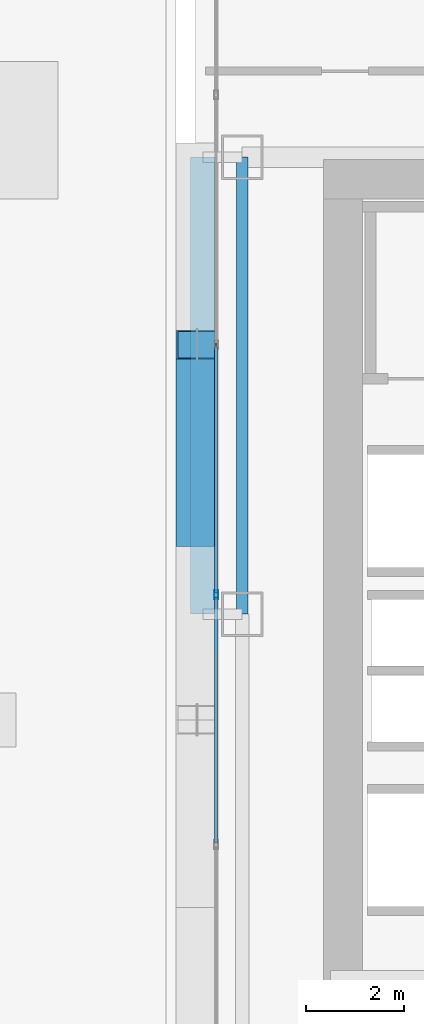
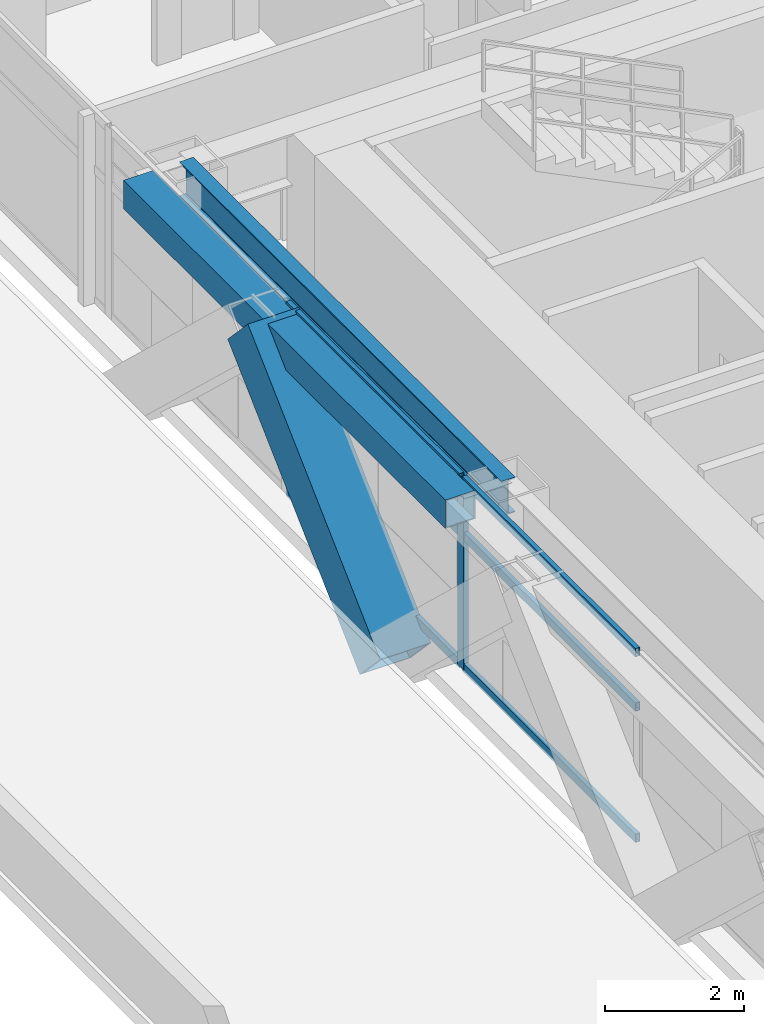
# One storey, part 7 of 35: 8 members, 2 beams, 1 element without a shape of its own.
"""IFC4 building model written with IfcOpenShell, lengths in metres."""

from ifc_helpers import new_model, si_unit, direction, frame, origin, origin_2d, place, context, subcontext, project, spatial, hollow_rectangle, i_section, extrude, source, transform, mapped, material, layer, layer_set, material_profile, profile_set, type_object, element, aggregate, save


model = new_model("IFC4")

# Units and contexts
model_context = context("Model", 3, precision=1e-05, world=origin(), true_north=direction((0.0, 1.0)))
body_context = subcontext(model_context, "Body", "Model", "MODEL_VIEW")
ifc_project = project(units=[si_unit("LENGTHUNIT", "METRE"), si_unit("AREAUNIT", "SQUARE_METRE"), si_unit("VOLUMEUNIT", "CUBIC_METRE"), si_unit("PLANEANGLEUNIT", "RADIAN"), si_unit("MASSUNIT", "GRAM", prefix="KILO")], contexts=[model_context])

# Site, building, storey
site_placement = place(None, origin())
site = spatial("IfcSite", under=ifc_project, at=site_placement, CompositionType="ELEMENT")
building_placement = place(site_placement, origin())
building = spatial("IfcBuilding", under=site, at=building_placement, Name="Ocotamira Hotel", CompositionType="ELEMENT")
storey_placement = place(building_placement, frame((0.0, 0.0, 34.800048828125)))
storey = spatial("IfcBuildingStorey", under=building, at=storey_placement, Name="L07", CompositionType="ELEMENT", Elevation=34.800048828125)

# Beams
ifc_material_1 = material(Name="Steel ASTM A992 Grade 50", Category="steel")
ifc_material_profile_1 = material_profile(ifc_material_1, i_section(OverallWidth=0.22998046875, OverallDepth=0.616943359375, WebThickness=0.01318359375, FlangeThickness=0.022216796875, FilletRadius=0.012939453125, at=origin_2d()), Name="W24X94")
ifc_profile_set_1 = profile_set([ifc_material_profile_1], Name="Steel ASTM A992 Grade 50")
beam_type_1 = type_object("IfcBeamType", Name="BM-PRIM-W24X94", PredefinedType="BEAM", material=ifc_profile_set_1)
shared_shape_1 = source(origin(), body_context, "Body", "SweptSolid", [
    extrude(i_section(OverallWidth=0.22998046875, OverallDepth=0.616943359375, WebThickness=0.01318359375, FlangeThickness=0.022216796875, FilletRadius=0.012939453125, at=origin_2d()), origin(), (0.0, 0.0, 1.0), 9.300048828125),
])
beam_1_placement = place(storey_placement, frame((8.949951171875, 28.14990234375, 3.04150390625), z_axis=(0.0, 1.0, 0.0), x_axis=(-1.0, 0.0, 0.0)))
element("IfcBeam", 1, at=beam_1_placement, inside=storey, type_object=beam_type_1, Name="L07 Beam X8.95 Y28.15-37.45", PredefinedType="BEAM", context=body_context, shape_type="MappedRepresentation", body=[
    mapped(shared_shape_1, transform((0.0, 0.0, 0.0), scale=1.0)),
])
ifc_material_2 = material(Name="Steel ASTM A500 Grade C", Category="steel")
ifc_material_profile_2 = material_profile(ifc_material_2, hollow_rectangle(XDim=0.5, YDim=0.5, WallThickness=0.02001953125, at=origin_2d()), Name="HSS500X500X20")
ifc_profile_set_2 = profile_set([ifc_material_profile_2], Name="Steel ASTM A500 Grade C")
beam_type_2 = type_object("IfcBeamType", Name="BM-SPAN-HSS500", PredefinedType="USERDEFINED", material=ifc_profile_set_2)
shared_shape_2 = source(origin(), body_context, "Body", "SweptSolid", [
    extrude(hollow_rectangle(XDim=0.5, YDim=0.5, WallThickness=0.02001953125, at=origin_2d()), origin(), (0.0, 0.0, 1.0), 9.300048828125),
])
beam_2_placement = place(storey_placement, frame((8.14990234375, 28.14990234375, 3.099853515625), z_axis=(0.0, 1.0, 0.0), x_axis=(-1.0, 0.0, 0.0)))
element("IfcBeam", 2, at=beam_2_placement, inside=storey, type_object=beam_type_2, Name="L07 Edge Spandrel W Y28.15-37.45", ObjectType="SPANDREL", PredefinedType="USERDEFINED", context=body_context, shape_type="MappedRepresentation", body=[
    mapped(shared_shape_2, transform((0.0, 0.0, 0.0), scale=1.0)),
])

# Member
ifc_material_3 = material(Name="Pale-metal coated steel ASTM A913 Grade 65", Category="steel")
ifc_material_profile_3 = material_profile(ifc_material_3, hollow_rectangle(XDim=0.85009765625, YDim=0.85009765625, WallThickness=0.035888671875, at=origin_2d()), Name="BOX850X850X36")
ifc_profile_set_3 = profile_set([ifc_material_profile_3], Name="Pale-metal coated steel ASTM A913 Grade 65")
member_type_1 = type_object("IfcMemberType", Name="MEM-EXO-BOX850", PredefinedType="BRACE", material=ifc_profile_set_3)
shared_shape_3 = source(origin(), body_context, "Body", "SweptSolid", [
    extrude(hollow_rectangle(XDim=0.85009765625, YDim=0.85009765625, WallThickness=0.035888671875, at=origin_2d()), origin(), (0.0, 0.0, 1.0), 5.24658203125),
])
member_1_placement = place(storey_placement, frame((8.030029296875, 29.816650390625, -0.5), z_axis=(0.0, 0.72746596067, 0.686143772154), x_axis=(-1.0, 0.0, 0.0)))
element("IfcMember", 3, at=member_1_placement, inside=storey, type_object=member_type_1, Name="L07 Exoskeleton Diagrid W2.1", PredefinedType="BRACE", context=body_context, shape_type="MappedRepresentation", body=[
    mapped(shared_shape_3, transform((0.0, 0.0, 0.0), scale=1.0)),
])

# Curtain wall, members
ifc_material_4 = material(Name="Anodised pale-metal aluminium and solar glass", Category="aluminium")
ifc_layer = layer(ifc_material_4, 0.179931640625)
ifc_layer_set = layer_set([ifc_layer], Name="Anodised pale-metal aluminium and solar glass")
curtain_wall_type = type_object("IfcCurtainWallType", Name="CW-SYS2-Z1", PredefinedType="NOTDEFINED", material=ifc_layer_set)
curtain_wall_placement = place(storey_placement, origin())
curtain_wall = element("IfcCurtainWall", 4, at=curtain_wall_placement, inside=storey, type_object=curtain_wall_type, Name="L07 Curtain Wall CW-2 CW-L07-W", PredefinedType="NOTDEFINED")
ifc_material_5 = material(Name="Anodised pale-metal aluminium 6063-T6", Category="aluminium")
ifc_material_profile_4 = material_profile(ifc_material_5, hollow_rectangle(XDim=0.080078125, YDim=0.179931640625, WallThickness=0.006103515625, at=origin_2d()), Name="HSS180X80X6")
ifc_profile_set_4 = profile_set([ifc_material_profile_4], Name="Anodised pale-metal aluminium 6063-T6")
member_type_2 = type_object("IfcMemberType", Name="CWM-180X75", PredefinedType="MULLION", material=ifc_profile_set_4)
shared_shape_4 = source(origin(), body_context, "Body", "SweptSolid", [
    extrude(hollow_rectangle(XDim=0.080078125, YDim=0.179931640625, WallThickness=0.006103515625, at=origin_2d()), origin(), (0.0, 0.0, 1.0), 3.349853515625),
])
member_2_placement = place(storey_placement, frame((8.419921875, 28.54296875, 0.0), z_axis=(0.0, 0.0, 1.0), x_axis=(-1.0, 0.0, 0.0)))
member_2 = element("IfcMember", 5, at=member_2_placement, type_object=member_type_2, Name="CW-2 mullion 5", PredefinedType="MULLION", context=body_context, shape_type="MappedRepresentation", body=[
    mapped(shared_shape_4, transform((0.0, 0.0, 0.0), scale=1.0)),
])
ifc_material_profile_5 = material_profile(ifc_material_5, hollow_rectangle(XDim=0.074951171875, YDim=0.14990234375, WallThickness=0.006103515625, at=origin_2d()), Name="HSS150X75X6")
ifc_profile_set_5 = profile_set([ifc_material_profile_5], Name="Anodised pale-metal aluminium 6063-T6")
member_type_3 = type_object("IfcMemberType", Name="CWT-150X75", PredefinedType="USERDEFINED", material=ifc_profile_set_5)
shared_shape_5 = source(origin(), body_context, "Body", "SweptSolid", [
    extrude(hollow_rectangle(XDim=0.074951171875, YDim=0.14990234375, WallThickness=0.006103515625, at=origin_2d()), origin(), (0.0, 0.0, 1.0), 5.005859375),
])
member_3_placement = place(storey_placement, frame((8.419921875, 23.4970703125, 0.037353515625), z_axis=(0.0, 1.0, 0.0), x_axis=(-1.0, 0.0, 0.0)))
member_3 = element("IfcMember", 6, at=member_3_placement, type_object=member_type_3, Name="CW-2 transom 4.1", ObjectType="TRANSOM", PredefinedType="USERDEFINED", context=body_context, shape_type="MappedRepresentation", body=[
    mapped(shared_shape_5, transform((0.0, 0.0, 0.0), scale=1.0)),
])
member_4_placement = place(storey_placement, frame((8.419921875, 23.4970703125, 2.349853515625), z_axis=(0.0, 1.0, 0.0), x_axis=(-1.0, 0.0, 0.0)))
member_4 = element("IfcMember", 7, at=member_4_placement, type_object=member_type_3, Name="CW-2 transom 4.2", ObjectType="TRANSOM", PredefinedType="USERDEFINED", context=body_context, shape_type="MappedRepresentation", body=[
    mapped(shared_shape_5, transform((0.0, 0.0, 0.0), scale=1.0)),
])
member_5_placement = place(storey_placement, frame((8.419921875, 23.4970703125, 3.3125), z_axis=(0.0, 1.0, 0.0), x_axis=(-1.0, 0.0, 0.0)))
member_5 = element("IfcMember", 8, at=member_5_placement, type_object=member_type_3, Name="CW-2 transom 4.3", ObjectType="TRANSOM", PredefinedType="USERDEFINED", context=body_context, shape_type="MappedRepresentation", body=[
    mapped(shared_shape_5, transform((0.0, 0.0, 0.0), scale=1.0)),
])
member_6_placement = place(storey_placement, frame((8.419921875, 28.582763671875, 0.037353515625), z_axis=(0.0, 1.0, 0.0), x_axis=(-1.0, 0.0, 0.0)))
member_6 = element("IfcMember", 9, at=member_6_placement, type_object=member_type_3, Name="CW-2 transom 5.1", ObjectType="TRANSOM", PredefinedType="USERDEFINED", context=body_context, shape_type="MappedRepresentation", body=[
    mapped(shared_shape_5, transform((0.0, 0.0, 0.0), scale=1.0)),
])
member_7_placement = place(storey_placement, frame((8.419921875, 28.582763671875, 2.349853515625), z_axis=(0.0, 1.0, 0.0), x_axis=(-1.0, 0.0, 0.0)))
member_7 = element("IfcMember", 10, at=member_7_placement, type_object=member_type_3, Name="CW-2 transom 5.2", ObjectType="TRANSOM", PredefinedType="USERDEFINED", context=body_context, shape_type="MappedRepresentation", body=[
    mapped(shared_shape_5, transform((0.0, 0.0, 0.0), scale=1.0)),
])
member_8_placement = place(storey_placement, frame((8.419921875, 28.582763671875, 3.3125), z_axis=(0.0, 1.0, 0.0), x_axis=(-1.0, 0.0, 0.0)))
member_8 = element("IfcMember", 11, at=member_8_placement, type_object=member_type_3, Name="CW-2 transom 5.3", ObjectType="TRANSOM", PredefinedType="USERDEFINED", context=body_context, shape_type="MappedRepresentation", body=[
    mapped(shared_shape_5, transform((0.0, 0.0, 0.0), scale=1.0)),
])
aggregate(curtain_wall, [member_2, member_3, member_4, member_5, member_6, member_7, member_8])

save(model, "model.ifc")
